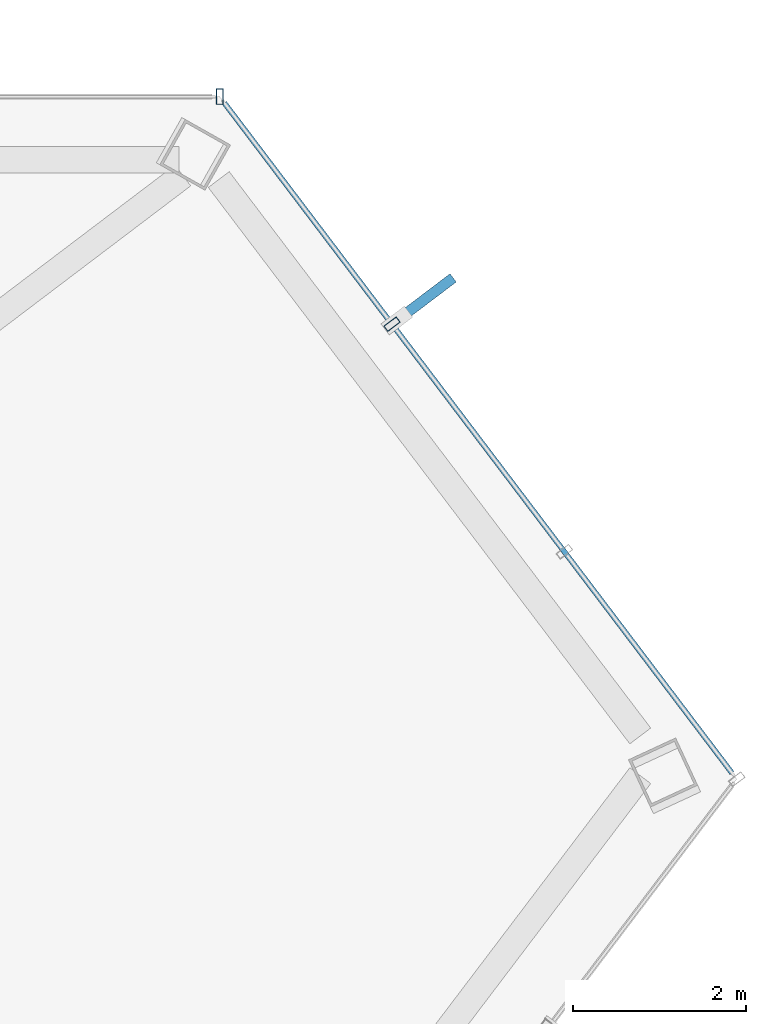
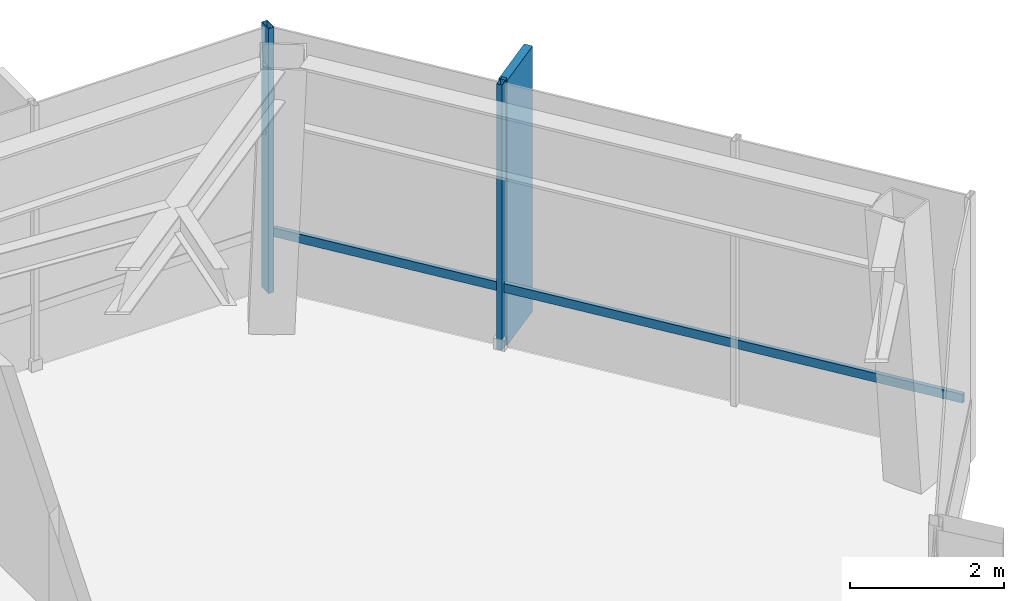
# One storey, part 17 of 22: 4 members, 2 elements without a shape of their own.
"""IFC4 building model written with IfcOpenShell, lengths in metres."""

from ifc_helpers import new_model, si_unit, direction, frame, origin, origin_2d, place, context, subcontext, project, spatial, rectangle, hollow_rectangle, extrude, material, layer, layer_set, material_profile, profile_set, type_object, element, aggregate, save


model = new_model("IFC4")

# Units and contexts
model_context = context("Model", 3, precision=1e-05, world=origin(), true_north=direction((0.0, 1.0)))
body_context = subcontext(model_context, "Body", "Model", "MODEL_VIEW")
ifc_project = project(units=[si_unit("LENGTHUNIT", "METRE"), si_unit("AREAUNIT", "SQUARE_METRE"), si_unit("VOLUMEUNIT", "CUBIC_METRE"), si_unit("PLANEANGLEUNIT", "RADIAN"), si_unit("MASSUNIT", "GRAM", prefix="KILO")], contexts=[model_context])

# Site, building, storey
site_placement = place(None, origin())
site = spatial("IfcSite", under=ifc_project, at=site_placement, CompositionType="ELEMENT")
building_placement = place(site_placement, origin())
building = spatial("IfcBuilding", under=site, at=building_placement, Name="Zarrinselat Tower", CompositionType="ELEMENT")
storey_placement = place(building_placement, frame((0.0, 0.0, 204.340087890625)))
storey = spatial("IfcBuildingStorey", under=building, at=storey_placement, Name="L50", CompositionType="ELEMENT", Elevation=204.340087890625)

# Curtain wall, member
ifc_material_1 = material(Name="Extruded Aluminium Alloy EN AW-6063 T6", Category="aluminium")
ifc_layer = layer(ifc_material_1, 0.195068359375)
ifc_layer_set = layer_set([ifc_layer], Name="Extruded Aluminium Alloy EN AW-6063 T6")
curtain_wall_type = type_object("IfcCurtainWallType", Name="CWS-GDN", PredefinedType="NOTDEFINED", material=ifc_layer_set)
curtain_wall_1_placement = place(storey_placement, origin())
curtain_wall_1 = element("IfcCurtainWall", 1, at=curtain_wall_1_placement, inside=storey, type_object=curtain_wall_type, Name="L50 Unitised Curtain Wall CW-L50-E02", PredefinedType="NOTDEFINED")
ifc_material_2 = material(Name="Extruded Aluminium Alloy EN AW-6063 T6", Category="aluminium")
ifc_material_profile_1 = material_profile(ifc_material_2, hollow_rectangle(XDim=0.080078125, YDim=0.179931640625, WallThickness=0.0048828125, at=origin_2d()), Name="RHS 180x80x5")
ifc_profile_set_1 = profile_set([ifc_material_profile_1], Name="Extruded Aluminium Alloy EN AW-6063 T6")
member_type_1 = type_object("IfcMemberType", Name="MEM-CW-MUL", PredefinedType="MULLION", material=ifc_profile_set_1)
member_1_placement = place(storey_placement, frame((56.402587890625, 48.489013671875, 0.0), z_axis=(0.0, 0.0, 1.0), x_axis=(1.0, 0.0, 0.0)))
member_1 = element("IfcMember", 2, at=member_1_placement, type_object=member_type_1, Name="CW-L50-E02 Mullion 12", PredefinedType="MULLION", context=body_context, shape_type="SweptSolid", body=[
    extrude(hollow_rectangle(XDim=0.080078125, YDim=0.179931640625, WallThickness=0.0048828125, at=origin_2d()), origin(), (0.0, 0.0, 1.0), 4.199951171875),
])
aggregate(curtain_wall_1, [member_1])

# Curtain wall, members
curtain_wall_2_placement = place(storey_placement, origin())
curtain_wall_2 = element("IfcCurtainWall", 3, at=curtain_wall_2_placement, inside=storey, type_object=curtain_wall_type, Name="L50 Unitised Curtain Wall CW-L50-E03", PredefinedType="NOTDEFINED")
member_2_placement = place(storey_placement, frame((58.392822265625, 45.86181640625, 0.0), z_axis=(0.0, 0.0, 1.0), x_axis=(0.603852236026, -0.797096278405, 0.0)))
member_2 = element("IfcMember", 4, at=member_2_placement, type_object=member_type_1, Name="CW-L50-E03 Mullion 1", PredefinedType="MULLION", context=body_context, shape_type="SweptSolid", body=[
    extrude(hollow_rectangle(XDim=0.080078125, YDim=0.179931640625, WallThickness=0.0048828125, at=origin_2d()), origin(), (0.0, 0.0, 1.0), 4.199951171875),
])
ifc_material_3 = material(Name="Extruded Aluminium Alloy EN AW-6063 T6", Category="aluminium")
ifc_material_profile_2 = material_profile(ifc_material_3, hollow_rectangle(XDim=0.06005859375, YDim=0.139892578125, WallThickness=0.00390625, at=origin_2d()), Name="RHS 140x60x4")
ifc_profile_set_2 = profile_set([ifc_material_profile_2], Name="Extruded Aluminium Alloy EN AW-6063 T6")
member_type_2 = type_object("IfcMemberType", Name="MEM-CW-TRN", PredefinedType="USERDEFINED", material=ifc_profile_set_2)
member_3_placement = place(storey_placement, frame((56.456787109375, 48.417236328125, 0.949951171875), z_axis=(0.603855751269, -0.797093615368, 0.0), x_axis=(0.797093615368, 0.603855751269, 0.0)))
member_3 = element("IfcMember", 5, at=member_3_placement, type_object=member_type_2, Name="CW-L50-E03 Transom 1", ObjectType="TRANSOM", PredefinedType="USERDEFINED", context=body_context, shape_type="SweptSolid", body=[
    extrude(hollow_rectangle(XDim=0.06005859375, YDim=0.139892578125, WallThickness=0.00390625, at=origin_2d()), origin(), (0.0, 0.0, 1.0), 9.7080078125),
])
ifc_material_4 = material(Name="Honed Cream Travertine Stone", Category="masonry")
ifc_material_profile_3 = material_profile(ifc_material_4, rectangle(XDim=0.1201171875, YDim=0.85009765625, at=origin_2d()), Name="FIN 850x120")
ifc_profile_set_3 = profile_set([ifc_material_profile_3], Name="Honed Cream Travertine Stone")
member_type_3 = type_object("IfcMemberType", Name="MEM-STONE-FIN", PredefinedType="USERDEFINED", material=ifc_profile_set_3)
member_4_placement = place(storey_placement, frame((58.759521484375, 46.1396484375, 0.0), z_axis=(0.0, 0.0, 1.0), x_axis=(0.603852236026, -0.797096278405, 0.0)))
member_4 = element("IfcMember", 6, at=member_4_placement, type_object=member_type_3, Name="L50 Stone Shading Fin CW-L50-E03-01", ObjectType="FIN", PredefinedType="USERDEFINED", context=body_context, shape_type="SweptSolid", body=[
    extrude(rectangle(XDim=0.1201171875, YDim=0.85009765625, at=origin_2d()), origin(), (0.0, 0.0, 1.0), 4.199951171875),
])
aggregate(curtain_wall_2, [member_2, member_4, member_3])

save(model, "model.ifc")
